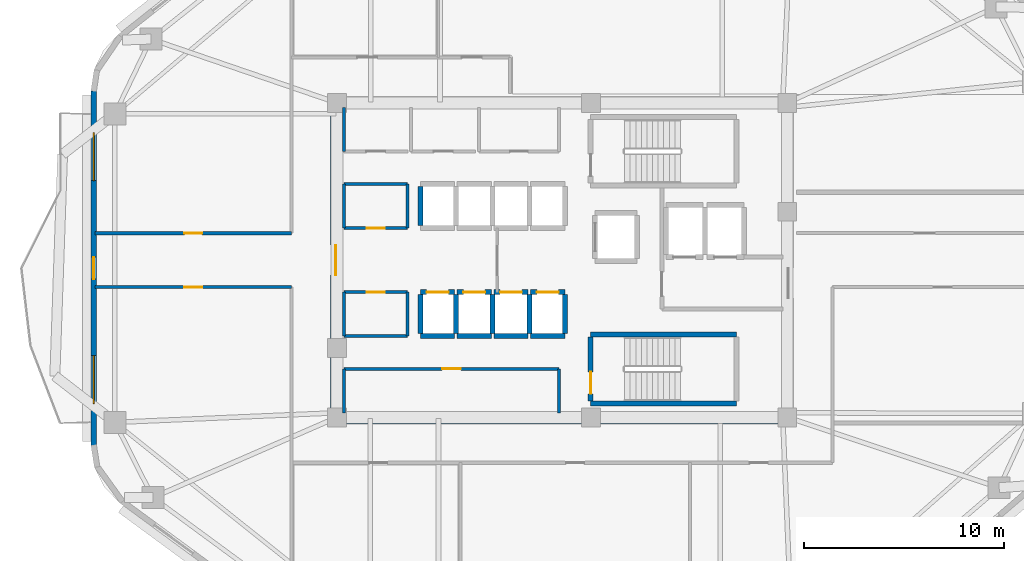
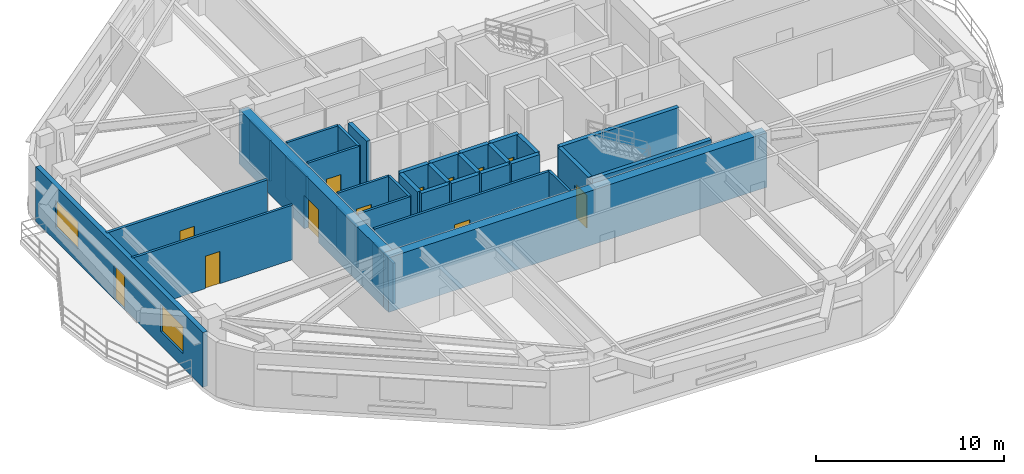
# One storey, part 3 of 8: 34 walls, 12 doors, 2 windows, 14 openings.
"""IFC4 building model written with IfcOpenShell, lengths in metres."""

from ifc_helpers import new_model, si_unit, direction, frame, frame_2d, origin, place, context, subcontext, project, spatial, rectangle, extrude, material, layer, layer_set, type_object, element, fill, save


model = new_model("IFC4")

# Units and contexts
model_context = context("Model", 3, precision=1e-05, world=origin(), true_north=direction((0.0, 1.0)))
body_context = subcontext(model_context, "Body", "Model", "MODEL_VIEW")
ifc_project = project(units=[si_unit("LENGTHUNIT", "METRE"), si_unit("AREAUNIT", "SQUARE_METRE"), si_unit("VOLUMEUNIT", "CUBIC_METRE"), si_unit("PLANEANGLEUNIT", "RADIAN"), si_unit("MASSUNIT", "GRAM", prefix="KILO")], contexts=[model_context])

# Site, building, storey
site_placement = place(None, origin())
site = spatial("IfcSite", under=ifc_project, at=site_placement, CompositionType="ELEMENT")
building_placement = place(site_placement, origin())
building = spatial("IfcBuilding", under=site, at=building_placement, Name="Zulverin Broadcast Headquarters", CompositionType="ELEMENT")
storey_placement = place(building_placement, frame((0.0, 0.0, 151.60009765625)))
storey = spatial("IfcBuildingStorey", under=building, at=storey_placement, Name="L38", CompositionType="ELEMENT", Elevation=151.60009765625)

# Wall
ifc_material_1 = material(Name="Concrete C60/75", Category="concrete")
ifc_layer_1 = layer(ifc_material_1, 0.550048828125, Name="Concrete C60/75", Category="concrete")
ifc_layer_set_1 = layer_set([ifc_layer_1], Name="Concrete C60/75")
wall_type_1 = type_object("IfcWallType", Name="WL-CORE-550", PredefinedType="SHEAR", material=ifc_layer_set_1)
wall_1_placement = place(storey_placement, frame((25.39990234375, 17.27490234375, 0.0), z_axis=(0.0, 0.0, 1.0), x_axis=(1.0, 0.0, 0.0)))
element("IfcWall", 1, at=wall_1_placement, inside=storey, type_object=wall_type_1, Name="L38 Core South Shear Wall", PredefinedType="SHEAR", context=body_context, shape_type="SweptSolid", body=[
    extrude(rectangle(XDim=23.2001953125, YDim=0.550048828125, at=frame_2d((11.60009765625, 0.0))), origin(), (0.0, 0.0, 1.0), 3.539794921875),
])

# Wall, opening, door
wall_2_placement = place(storey_placement, frame((25.675048828125, 17.550048828125, 0.0), z_axis=(0.0, 0.0, 1.0), x_axis=(0.0, 1.0, 0.0)))
wall_2 = element("IfcWall", 2, at=wall_2_placement, inside=storey, type_object=wall_type_1, Name="L38 Core West Shear Wall", PredefinedType="SHEAR", context=body_context, shape_type="SweptSolid", body=[
    extrude(rectangle(XDim=15.300048828125, YDim=0.550048828125, at=frame_2d((7.64990234375, 0.0))), origin(), (0.0, 0.0, 1.0), 3.539794921875),
])
opening_1_placement = place(wall_2_placement, frame((6.89990234375, 0.0, 0.0)))
opening_1 = element("IfcOpeningElement", 3, at=opening_1_placement, cuts=wall_2, Name="Opening D-L38-CW1", PredefinedType="OPENING", context=body_context, shape_type="SweptSolid", body=[
    extrude(rectangle(XDim=1.5, YDim=2.14990234375, at=frame_2d((0.75, 1.074951171875))), frame((0.0, 0.284912109375, 0.0), z_axis=(0.0, -1.0, 0.0), x_axis=(1.0, 0.0, 0.0)), (0.0, 0.0, 1.0), 0.570068359375),
])
ifc_material_2 = material(Name="Fire-rated glazed steel frame", Category="steel")
door_type_1 = type_object("IfcDoorType", Name="DR-COR-1500", OperationType="DOUBLE_DOOR_SINGLE_SWING", PredefinedType="DOOR", material=ifc_material_2)
door_1_placement = place(opening_1_placement, origin())
door_1 = element("IfcDoor", 4, at=door_1_placement, inside=storey, type_object=door_type_1, Name="L38 Central Lift Lobby West Portal Door", OperationType="DOUBLE_DOOR_SINGLE_SWING", OverallHeight=2.14990234375, OverallWidth=1.5, PredefinedType="DOOR", context=body_context, shape_type="SweptSolid", body=[
    extrude(rectangle(XDim=1.5, YDim=2.14990234375, at=frame_2d((0.75, 1.074951171875))), frame((0.0, 0.02490234375, 0.0), z_axis=(0.0, -1.0, 0.0), x_axis=(1.0, 0.0, 0.0)), (0.0, 0.0, 1.0), 0.050048828125),
])
fill(opening_1, door_1)

# Wall, openings, door, windows
ifc_material_3 = material(Name="Insulated pale-metal clad concrete spandrel C40/50", Category="concrete")
ifc_layer_2 = layer(ifc_material_3, 0.280029296875, Name="Insulated pale-metal clad concrete spandrel C40/50", Category="concrete")
ifc_layer_set_2 = layer_set([ifc_layer_2], Name="Insulated pale-metal clad concrete spandrel C40/50")
wall_type_2 = type_object("IfcWallType", Name="WL-EXT-280", PredefinedType="STANDARD", material=ifc_layer_set_2)
wall_3_placement = place(storey_placement, frame((13.5400390625, 33.673095703125, 0.0), z_axis=(0.0, 0.0, 1.0), x_axis=(0.0, -1.0, 0.0)))
wall_3 = element("IfcWall", 5, at=wall_3_placement, inside=storey, type_object=wall_type_2, Name="L38 Pale-Metal Clad Spandrel Wall 7", PredefinedType="STANDARD", context=body_context, shape_type="SweptSolid", body=[
    extrude(rectangle(XDim=17.751220703125, YDim=0.280029296875, at=frame_2d((8.87548828125, 0.0))), origin(), (0.0, 0.0, 1.0), 3.539794921875),
])
opening_2_placement = place(wall_3_placement, frame((8.32568359375, 0.0, 0.0)))
opening_2 = element("IfcOpeningElement", 6, at=opening_2_placement, cuts=wall_3, Name="Opening D-L38-TR7", PredefinedType="OPENING", context=body_context, shape_type="SweptSolid", body=[
    extrude(rectangle(XDim=1.10009765625, YDim=2.199951171875, at=frame_2d((0.550048828125, 1.10009765625))), frame((0.0, 0.14990234375, 0.0), z_axis=(0.0, -1.0, 0.0), x_axis=(1.0, 0.0, 0.0)), (0.0, 0.0, 1.0), 0.300048828125),
])
opening_3_placement = place(wall_3_placement, frame((2.091796875, 0.0, 0.89990234375)))
opening_3 = element("IfcOpeningElement", 7, at=opening_3_placement, cuts=wall_3, Name="Opening W-L38-E71", PredefinedType="OPENING", context=body_context, shape_type="SweptSolid", body=[
    extrude(rectangle(XDim=2.39990234375, YDim=1.75, at=frame_2d((1.199951171875, 0.875))), frame((0.0, 0.14990234375, 0.0), z_axis=(0.0, -1.0, 0.0), x_axis=(1.0, 0.0, 0.0)), (0.0, 0.0, 1.0), 0.300048828125),
])
opening_4_placement = place(wall_3_placement, frame((13.259521484375, 0.0, 0.89990234375)))
opening_4 = element("IfcOpeningElement", 8, at=opening_4_placement, cuts=wall_3, Name="Opening W-L38-E72", PredefinedType="OPENING", context=body_context, shape_type="SweptSolid", body=[
    extrude(rectangle(XDim=2.39990234375, YDim=1.75, at=frame_2d((1.199951171875, 0.875))), frame((0.0, 0.14990234375, 0.0), z_axis=(0.0, -1.0, 0.0), x_axis=(1.0, 0.0, 0.0)), (0.0, 0.0, 1.0), 0.300048828125),
])
ifc_material_4 = material(Name="Thermally broken aluminium glazed", Category="aluminium")
door_type_2 = type_object("IfcDoorType", Name="DR-TERR-1100", OperationType="SINGLE_SWING_RIGHT", PredefinedType="DOOR", material=ifc_material_4)
door_2_placement = place(opening_2_placement, origin())
door_2 = element("IfcDoor", 9, at=door_2_placement, inside=storey, type_object=door_type_2, Name="L38 Planted Terrace Glazed Access Door 7", OperationType="SINGLE_SWING_RIGHT", OverallHeight=2.199951171875, OverallWidth=1.10009765625, PredefinedType="DOOR", context=body_context, shape_type="SweptSolid", body=[
    extrude(rectangle(XDim=1.10009765625, YDim=2.199951171875, at=frame_2d((0.550048828125, 1.10009765625))), frame((0.0, 0.02490234375, 0.0), z_axis=(0.0, -1.0, 0.0), x_axis=(1.0, 0.0, 0.0)), (0.0, 0.0, 1.0), 0.050048828125),
])
fill(opening_2, door_2)
ifc_material_5 = material(Name="Pale anodized aluminium frame with solar-control low-E double glazing", Category="aluminium")
window_type = type_object("IfcWindowType", Name="WIN-RIB-2400", PartitioningType="SINGLE_PANEL", PredefinedType="WINDOW", material=ifc_material_5)
window_1_placement = place(opening_3_placement, origin())
window_1 = element("IfcWindow", 10, at=window_1_placement, inside=storey, type_object=window_type, Name="L38 Ribbon Glazing Window 7 1", OverallHeight=1.75, OverallWidth=2.39990234375, PartitioningType="SINGLE_PANEL", PredefinedType="WINDOW", context=body_context, shape_type="SweptSolid", body=[
    extrude(rectangle(XDim=2.39990234375, YDim=1.75, at=frame_2d((1.199951171875, 0.875))), frame((0.0, 0.030029296875, 0.0), z_axis=(0.0, -1.0, 0.0), x_axis=(1.0, 0.0, 0.0)), (0.0, 0.0, 1.0), 0.06005859375),
])
fill(opening_3, window_1)
window_2_placement = place(opening_4_placement, origin())
window_2 = element("IfcWindow", 11, at=window_2_placement, inside=storey, type_object=window_type, Name="L38 Ribbon Glazing Window 7 2", OverallHeight=1.75, OverallWidth=2.39990234375, PartitioningType="SINGLE_PANEL", PredefinedType="WINDOW", context=body_context, shape_type="SweptSolid", body=[
    extrude(rectangle(XDim=2.39990234375, YDim=1.75, at=frame_2d((1.199951171875, 0.875))), frame((0.0, 0.030029296875, 0.0), z_axis=(0.0, -1.0, 0.0), x_axis=(1.0, 0.0, 0.0)), (0.0, 0.0, 1.0), 0.06005859375),
])
fill(opening_4, window_2)

# Wall
ifc_material_6 = material(Name="Fire-rated gypsum stud partition", Category="gypsum")
ifc_layer_3 = layer(ifc_material_6, 0.14990234375, Name="Fire-rated gypsum stud partition", Category="gypsum")
ifc_layer_set_3 = layer_set([ifc_layer_3], Name="Fire-rated gypsum stud partition")
wall_type_3 = type_object("IfcWallType", Name="WL-PART-150", PredefinedType="PARTITIONING", material=ifc_layer_set_3)
wall_4_placement = place(storey_placement, frame((26.070068359375, 30.64990234375, 0.0), z_axis=(0.0, 0.0, 1.0), x_axis=(0.0, 1.0, 0.0)))
element("IfcWall", 12, at=wall_4_placement, inside=storey, type_object=wall_type_3, Name="L38 Core Accessible WC West Wall", PredefinedType="PARTITIONING", context=body_context, shape_type="SweptSolid", body=[
    extrude(rectangle(XDim=2.2001953125, YDim=0.14990234375, at=frame_2d((1.10009765625, 0.0))), origin(), (0.0, 0.0, 1.0), 2.639892578125),
])

# Wall, opening, door
wall_5_placement = place(storey_placement, frame((26.070068359375, 19.75, 0.0), z_axis=(0.0, 0.0, 1.0), x_axis=(1.0, 0.0, 0.0)))
wall_5 = element("IfcWall", 13, at=wall_5_placement, inside=storey, type_object=wall_type_3, Name="L38 Core Female WC & Facilities Room Front Wall", PredefinedType="PARTITIONING", context=body_context, shape_type="SweptSolid", body=[
    extrude(rectangle(XDim=10.780029296875, YDim=0.14990234375, at=frame_2d((5.39013671875, 0.0))), origin(), (0.0, 0.0, 1.0), 3.539794921875),
])
opening_5_placement = place(wall_5_placement, frame((4.9150390625, 0.0, 0.0)))
opening_5 = element("IfcOpeningElement", 14, at=opening_5_placement, cuts=wall_5, Name="Opening D-L38-SC1", PredefinedType="OPENING", context=body_context, shape_type="SweptSolid", body=[
    extrude(rectangle(XDim=0.949951171875, YDim=2.10009765625, at=frame_2d((0.47509765625, 1.050048828125))), frame((0.0, 0.0849609375, 0.0), z_axis=(0.0, -1.0, 0.0), x_axis=(1.0, 0.0, 0.0)), (0.0, 0.0, 1.0), 0.169921875),
])
ifc_material_7 = material(Name="Fire-rated moisture-resistant laminate leaf", Category="wood")
door_type_3 = type_object("IfcDoorType", Name="DR-WC-950", OperationType="SINGLE_SWING_LEFT", PredefinedType="DOOR", material=ifc_material_7)
door_3_placement = place(opening_5_placement, origin())
door_3 = element("IfcDoor", 15, at=door_3_placement, inside=storey, type_object=door_type_3, Name="L38 Female WC & Facilities Room Door", OperationType="SINGLE_SWING_RIGHT", OverallHeight=2.10009765625, OverallWidth=0.949951171875, PredefinedType="DOOR", context=body_context, shape_type="SweptSolid", body=[
    extrude(rectangle(XDim=0.949951171875, YDim=2.10009765625, at=frame_2d((0.47509765625, 1.050048828125))), frame((0.0, 0.02490234375, 0.0), z_axis=(0.0, -1.0, 0.0), x_axis=(1.0, 0.0, 0.0)), (0.0, 0.0, 1.0), 0.050048828125),
])
fill(opening_5, door_3)

# Walls
wall_6_placement = place(storey_placement, frame((26.070068359375, 17.550048828125, 0.0), z_axis=(0.0, 0.0, 1.0), x_axis=(0.0, 1.0, 0.0)))
element("IfcWall", 16, at=wall_6_placement, inside=storey, type_object=wall_type_3, Name="L38 Core Female WC & Facilities Room West Wall", PredefinedType="PARTITIONING", context=body_context, shape_type="SweptSolid", body=[
    extrude(rectangle(XDim=2.199951171875, YDim=0.14990234375, at=frame_2d((1.10009765625, 0.0))), origin(), (0.0, 0.0, 1.0), 2.639892578125),
])
wall_7_placement = place(storey_placement, frame((36.85009765625, 17.550048828125, 0.0), z_axis=(0.0, 0.0, 1.0), x_axis=(0.0, 1.0, 0.0)))
element("IfcWall", 17, at=wall_7_placement, inside=storey, type_object=wall_type_3, Name="L38 Core Female WC & Facilities Room East Wall", PredefinedType="PARTITIONING", context=body_context, shape_type="SweptSolid", body=[
    extrude(rectangle(XDim=2.199951171875, YDim=0.14990234375, at=frame_2d((1.10009765625, 0.0))), origin(), (0.0, 0.0, 1.0), 3.539794921875),
])

# Wall, opening, door
wall_8_placement = place(storey_placement, frame((26.070068359375, 26.800048828125, 0.0), z_axis=(0.0, 0.0, 1.0), x_axis=(1.0, 0.0, 0.0)))
wall_8 = element("IfcWall", 18, at=wall_8_placement, inside=storey, type_object=wall_type_3, Name="L38 Core UPS Battery Store S Wall", PredefinedType="PARTITIONING", context=body_context, shape_type="SweptSolid", body=[
    extrude(rectangle(XDim=3.179931640625, YDim=0.14990234375, at=frame_2d((1.58984375, 0.0))), origin(), (0.0, 0.0, 1.0), 3.539794921875),
])
opening_6_placement = place(wall_8_placement, frame((1.139892578125, 0.0, 0.0)))
opening_6 = element("IfcOpeningElement", 19, at=opening_6_placement, cuts=wall_8, Name="Opening D-L38-RCLN", PredefinedType="OPENING", context=body_context, shape_type="SweptSolid", body=[
    extrude(rectangle(XDim=0.89990234375, YDim=2.10009765625, at=frame_2d((0.449951171875, 1.050048828125))), frame((0.0, 0.0849609375, 0.0), z_axis=(0.0, -1.0, 0.0), x_axis=(1.0, 0.0, 0.0)), (0.0, 0.0, 1.0), 0.169921875),
])
ifc_material_8 = material(Name="Powder-coated steel access leaf", Category="steel")
door_type_4 = type_object("IfcDoorType", Name="DR-RISER-900", OperationType="SINGLE_SWING_LEFT", PredefinedType="DOOR", material=ifc_material_8)
door_4_placement = place(opening_6_placement, origin())
door_4 = element("IfcDoor", 20, at=door_4_placement, inside=storey, type_object=door_type_4, Name="L38 Core UPS Battery Store Door", OperationType="SINGLE_SWING_LEFT", OverallHeight=2.10009765625, OverallWidth=0.89990234375, PredefinedType="DOOR", context=body_context, shape_type="SweptSolid", body=[
    extrude(rectangle(XDim=0.89990234375, YDim=2.10009765625, at=frame_2d((0.449951171875, 1.050048828125))), frame((0.0, 0.02490234375, 0.0), z_axis=(0.0, -1.0, 0.0), x_axis=(1.0, 0.0, 0.0)), (0.0, 0.0, 1.0), 0.050048828125),
])
fill(opening_6, door_4)

# Walls
wall_9_placement = place(storey_placement, frame((26.070068359375, 29.0, 0.0), z_axis=(0.0, 0.0, 1.0), x_axis=(1.0, 0.0, 0.0)))
element("IfcWall", 21, at=wall_9_placement, inside=storey, type_object=wall_type_3, Name="L38 Core UPS Battery Store N Wall", PredefinedType="PARTITIONING", context=body_context, shape_type="SweptSolid", body=[
    extrude(rectangle(XDim=3.179931640625, YDim=0.14990234375, at=frame_2d((1.58984375, 0.0))), origin(), (0.0, 0.0, 1.0), 3.539794921875),
])
wall_10_placement = place(storey_placement, frame((26.070068359375, 26.800048828125, 0.0), z_axis=(0.0, 0.0, 1.0), x_axis=(0.0, 1.0, 0.0)))
element("IfcWall", 22, at=wall_10_placement, inside=storey, type_object=wall_type_3, Name="L38 Core UPS Battery Store W Wall", PredefinedType="PARTITIONING", context=body_context, shape_type="SweptSolid", body=[
    extrude(rectangle(XDim=2.199951171875, YDim=0.14990234375, at=frame_2d((1.10009765625, 0.0))), origin(), (0.0, 0.0, 1.0), 2.639892578125),
])
wall_11_placement = place(storey_placement, frame((29.25, 26.800048828125, 0.0), z_axis=(0.0, 0.0, 1.0), x_axis=(0.0, 1.0, 0.0)))
element("IfcWall", 23, at=wall_11_placement, inside=storey, type_object=wall_type_3, Name="L38 Core UPS Battery Store E Wall", PredefinedType="PARTITIONING", context=body_context, shape_type="SweptSolid", body=[
    extrude(rectangle(XDim=2.199951171875, YDim=0.14990234375, at=frame_2d((1.10009765625, 0.0))), origin(), (0.0, 0.0, 1.0), 3.539794921875),
])
wall_12_placement = place(storey_placement, frame((26.070068359375, 21.39990234375, 0.0), z_axis=(0.0, 0.0, 1.0), x_axis=(1.0, 0.0, 0.0)))
element("IfcWall", 24, at=wall_12_placement, inside=storey, type_object=wall_type_3, Name="L38 Media Ingestion Server Room S Wall", PredefinedType="PARTITIONING", context=body_context, shape_type="SweptSolid", body=[
    extrude(rectangle(XDim=3.179931640625, YDim=0.14990234375, at=frame_2d((1.58984375, 0.0))), origin(), (0.0, 0.0, 1.0), 3.539794921875),
])

# Wall, opening, door
wall_13_placement = place(storey_placement, frame((26.070068359375, 23.60009765625, 0.0), z_axis=(0.0, 0.0, 1.0), x_axis=(1.0, 0.0, 0.0)))
wall_13 = element("IfcWall", 25, at=wall_13_placement, inside=storey, type_object=wall_type_3, Name="L38 Media Ingestion Server Room N Wall", PredefinedType="PARTITIONING", context=body_context, shape_type="SweptSolid", body=[
    extrude(rectangle(XDim=3.179931640625, YDim=0.14990234375, at=frame_2d((1.58984375, 0.0))), origin(), (0.0, 0.0, 1.0), 3.539794921875),
])
opening_7_placement = place(wall_13_placement, frame((1.139892578125, 0.0, 0.0)))
opening_7 = element("IfcOpeningElement", 26, at=opening_7_placement, cuts=wall_13, Name="Opening D-L38-RCLS", PredefinedType="OPENING", context=body_context, shape_type="SweptSolid", body=[
    extrude(rectangle(XDim=0.89990234375, YDim=2.10009765625, at=frame_2d((0.449951171875, 1.050048828125))), frame((0.0, 0.0849609375, 0.0), z_axis=(0.0, -1.0, 0.0), x_axis=(1.0, 0.0, 0.0)), (0.0, 0.0, 1.0), 0.169921875),
])
door_5_placement = place(opening_7_placement, origin())
door_5 = element("IfcDoor", 27, at=door_5_placement, inside=storey, type_object=door_type_4, Name="L38 Media Ingestion Server Room Door", OperationType="SINGLE_SWING_RIGHT", OverallHeight=2.10009765625, OverallWidth=0.89990234375, PredefinedType="DOOR", context=body_context, shape_type="SweptSolid", body=[
    extrude(rectangle(XDim=0.89990234375, YDim=2.10009765625, at=frame_2d((0.449951171875, 1.050048828125))), frame((0.0, 0.02490234375, 0.0), z_axis=(0.0, -1.0, 0.0), x_axis=(1.0, 0.0, 0.0)), (0.0, 0.0, 1.0), 0.050048828125),
])
fill(opening_7, door_5)

# Walls
wall_14_placement = place(storey_placement, frame((26.070068359375, 21.39990234375, 0.0), z_axis=(0.0, 0.0, 1.0), x_axis=(0.0, 1.0, 0.0)))
element("IfcWall", 28, at=wall_14_placement, inside=storey, type_object=wall_type_3, Name="L38 Media Ingestion Server Room W Wall", PredefinedType="PARTITIONING", context=body_context, shape_type="SweptSolid", body=[
    extrude(rectangle(XDim=2.2001953125, YDim=0.14990234375, at=frame_2d((1.10009765625, 0.0))), origin(), (0.0, 0.0, 1.0), 2.639892578125),
])
wall_15_placement = place(storey_placement, frame((29.25, 21.39990234375, 0.0), z_axis=(0.0, 0.0, 1.0), x_axis=(0.0, 1.0, 0.0)))
element("IfcWall", 29, at=wall_15_placement, inside=storey, type_object=wall_type_3, Name="L38 Media Ingestion Server Room E Wall", PredefinedType="PARTITIONING", context=body_context, shape_type="SweptSolid", body=[
    extrude(rectangle(XDim=2.2001953125, YDim=0.14990234375, at=frame_2d((1.10009765625, 0.0))), origin(), (0.0, 0.0, 1.0), 3.539794921875),
])

# Wall, opening, door
wall_16_placement = place(storey_placement, frame((13.60498046875, 23.85009765625, 0.0), z_axis=(0.0, 0.0, 1.0), x_axis=(1.0, 0.0, 0.0)))
wall_16 = element("IfcWall", 30, at=wall_16_placement, inside=storey, type_object=wall_type_3, Name="L38 Gallery Partition Wall CG-10", PredefinedType="PARTITIONING", context=body_context, shape_type="SweptSolid", body=[
    extrude(rectangle(XDim=9.844970703125, YDim=0.14990234375, at=frame_2d((4.92236328125, 0.0))), origin(), (0.0, 0.0, 1.0), 3.539794921875),
])
opening_8_placement = place(wall_16_placement, frame((4.472412109375, 0.0, 0.0)))
opening_8 = element("IfcOpeningElement", 31, at=opening_8_placement, cuts=wall_16, Name="Opening D-L38-06", PredefinedType="OPENING", context=body_context, shape_type="SweptSolid", body=[
    extrude(rectangle(XDim=0.89990234375, YDim=2.10009765625, at=frame_2d((0.449951171875, 1.050048828125))), frame((0.0, 0.0849609375, 0.0), z_axis=(0.0, -1.0, 0.0), x_axis=(1.0, 0.0, 0.0)), (0.0, 0.0, 1.0), 0.169921875),
])
ifc_material_9 = material(Name="Fire-rated hardwood veneer timber leaf", Category="wood")
door_type_5 = type_object("IfcDoorType", Name="DR-ROOM-900", OperationType="SINGLE_SWING_RIGHT", PredefinedType="DOOR", material=ifc_material_9)
door_6_placement = place(opening_8_placement, origin())
door_6 = element("IfcDoor", 32, at=door_6_placement, inside=storey, type_object=door_type_5, Name="L38 Coffee Bar Door", OperationType="SINGLE_SWING_LEFT", OverallHeight=2.10009765625, OverallWidth=0.89990234375, PredefinedType="DOOR", context=body_context, shape_type="SweptSolid", body=[
    extrude(rectangle(XDim=0.89990234375, YDim=2.10009765625, at=frame_2d((0.449951171875, 1.050048828125))), frame((0.0, 0.02490234375, 0.0), z_axis=(0.0, -1.0, 0.0), x_axis=(1.0, 0.0, 0.0)), (0.0, 0.0, 1.0), 0.050048828125),
])
fill(opening_8, door_6)

ifc_material_10 = material(Name="Fire-rated acoustic stud wall", Category="gypsum")
ifc_layer_4 = layer(ifc_material_10, 0.175048828125, Name="Fire-rated acoustic stud wall", Category="gypsum")
ifc_layer_set_4 = layer_set([ifc_layer_4], Name="Fire-rated acoustic stud wall")
wall_type_4 = type_object("IfcWallType", Name="WL-PART-175", PredefinedType="PARTITIONING", material=ifc_layer_set_4)
wall_17_placement = place(storey_placement, frame((13.60498046875, 26.550048828125, 0.0), z_axis=(0.0, 0.0, 1.0), x_axis=(1.0, 0.0, 0.0)))
wall_17 = element("IfcWall", 33, at=wall_17_placement, inside=storey, type_object=wall_type_4, Name="L38 Gallery Partition Wall CG-12", PredefinedType="PARTITIONING", context=body_context, shape_type="SweptSolid", body=[
    extrude(rectangle(XDim=9.844970703125, YDim=0.175048828125, at=frame_2d((4.92236328125, 0.0))), origin(), (0.0, 0.0, 1.0), 3.539794921875),
])
opening_9_placement = place(wall_17_placement, frame((4.472412109375, 0.0, 0.0)))
opening_9 = element("IfcOpeningElement", 34, at=opening_9_placement, cuts=wall_17, Name="Opening D-L38-07", PredefinedType="OPENING", context=body_context, shape_type="SweptSolid", body=[
    extrude(rectangle(XDim=0.89990234375, YDim=2.10009765625, at=frame_2d((0.449951171875, 1.050048828125))), frame((0.0, 0.097412109375, 0.0), z_axis=(0.0, -1.0, 0.0), x_axis=(1.0, 0.0, 0.0)), (0.0, 0.0, 1.0), 0.195068359375),
])
door_7_placement = place(opening_9_placement, origin())
door_7 = element("IfcDoor", 35, at=door_7_placement, inside=storey, type_object=door_type_5, Name="L38 Main Catering Servery Door", OperationType="SINGLE_SWING_RIGHT", OverallHeight=2.10009765625, OverallWidth=0.89990234375, PredefinedType="DOOR", context=body_context, shape_type="SweptSolid", body=[
    extrude(rectangle(XDim=0.89990234375, YDim=2.10009765625, at=frame_2d((0.449951171875, 1.050048828125))), frame((0.0, 0.02490234375, 0.0), z_axis=(0.0, -1.0, 0.0), x_axis=(1.0, 0.0, 0.0)), (0.0, 0.0, 1.0), 0.050048828125),
])
fill(opening_9, door_7)

# Walls
ifc_material_11 = material(Name="Concrete C50/60", Category="concrete")
ifc_layer_5 = layer(ifc_material_11, 0.25, Name="Concrete C50/60", Category="concrete")
ifc_layer_set_5 = layer_set([ifc_layer_5], Name="Concrete C50/60")
wall_type_5 = type_object("IfcWallType", Name="WL-SHAFT-250", PredefinedType="SHEAR", material=ifc_layer_set_5)
for number, where, z_axis, x_axis, name in (
    (36, (38.425048828125, 18.02490234375, 0.0), (0.0, 0.0, 1.0), (1.0, 0.0, 0.0), "L38 ST-2 Enclosure Wall S"),
    (37, (38.425048828125, 21.47509765625, 0.0), (0.0, 0.0, 1.0), (1.0, 0.0, 0.0), "L38 ST-2 Enclosure Wall N"),
):
    element("IfcWall", number, at=place(storey_placement, frame(where, z_axis=z_axis, x_axis=x_axis)), inside=storey, type_object=wall_type_5, Name=name, PredefinedType="SHEAR", context=body_context, shape_type="SweptSolid", body=[
        extrude(rectangle(XDim=7.300048828125, YDim=0.25, at=frame_2d((3.64990234375, 0.0))), origin(), (0.0, 0.0, 1.0), 3.539794921875),
    ])

# Wall, opening, door
wall_18_placement = place(storey_placement, frame((38.425048828125, 18.14990234375, 0.0), z_axis=(0.0, 0.0, 1.0), x_axis=(0.0, 1.0, 0.0)))
wall_18 = element("IfcWall", 38, at=wall_18_placement, inside=storey, type_object=wall_type_5, Name="L38 ST-2 Enclosure Wall W", PredefinedType="SHEAR", context=body_context, shape_type="SweptSolid", body=[
    extrude(rectangle(XDim=3.2001953125, YDim=0.25, at=frame_2d((1.60009765625, 0.0))), origin(), (0.0, 0.0, 1.0), 3.539794921875),
])
opening_10_placement = place(wall_18_placement, frame((0.35009765625, 0.0, 0.0)))
opening_10 = element("IfcOpeningElement", 39, at=opening_10_placement, cuts=wall_18, Name="Opening D-L38-ST-2", PredefinedType="OPENING", context=body_context, shape_type="SweptSolid", body=[
    extrude(rectangle(XDim=1.10009765625, YDim=2.14990234375, at=frame_2d((0.550048828125, 1.074951171875))), frame((0.0, 0.135009765625, 0.0), z_axis=(0.0, -1.0, 0.0), x_axis=(1.0, 0.0, 0.0)), (0.0, 0.0, 1.0), 0.27001953125),
])
ifc_material_12 = material(Name="Fire-rated steel leaf and frame", Category="steel")
door_type_6 = type_object("IfcDoorType", Name="DR-STAIR-1100", OperationType="SINGLE_SWING_LEFT", PredefinedType="DOOR", material=ifc_material_12)
door_8_placement = place(opening_10_placement, origin())
door_8 = element("IfcDoor", 40, at=door_8_placement, inside=storey, type_object=door_type_6, Name="L38 Exit Stair ST-2 Fire Door", OperationType="SINGLE_SWING_RIGHT", OverallHeight=2.14990234375, OverallWidth=1.10009765625, PredefinedType="DOOR", context=body_context, shape_type="SweptSolid", body=[
    extrude(rectangle(XDim=1.10009765625, YDim=2.14990234375, at=frame_2d((0.550048828125, 1.074951171875))), frame((0.0, 0.02490234375, 0.0), z_axis=(0.0, -1.0, 0.0), x_axis=(1.0, 0.0, 0.0)), (0.0, 0.0, 1.0), 0.050048828125),
])
fill(opening_10, door_8)

# Wall
wall_19_placement = place(storey_placement, frame((29.89990234375, 21.39990234375, 0.0), z_axis=(0.0, 0.0, 1.0), x_axis=(1.0, 0.0, 0.0)))
element("IfcWall", 41, at=wall_19_placement, inside=storey, type_object=wall_type_5, Name="L38 Lift PL-M1 Shaft Wall S", PredefinedType="SHEAR", context=body_context, shape_type="SweptSolid", body=[
    extrude(rectangle(XDim=1.72021484375, YDim=0.25, at=frame_2d((0.860107421875, 0.0))), origin(), (0.0, 0.0, 1.0), 3.539794921875),
])

# Wall, opening, door
wall_20_placement = place(storey_placement, frame((29.89990234375, 23.60009765625, 0.0), z_axis=(0.0, 0.0, 1.0), x_axis=(1.0, 0.0, 0.0)))
wall_20 = element("IfcWall", 42, at=wall_20_placement, inside=storey, type_object=wall_type_5, Name="L38 Lift PL-M1 Shaft Wall N", PredefinedType="SHEAR", context=body_context, shape_type="SweptSolid", body=[
    extrude(rectangle(XDim=1.72021484375, YDim=0.25, at=frame_2d((0.860107421875, 0.0))), origin(), (0.0, 0.0, 1.0), 3.539794921875),
])
opening_11_placement = place(wall_20_placement, frame((0.31005859375, 0.0, 0.0)))
opening_11 = element("IfcOpeningElement", 43, at=opening_11_placement, cuts=wall_20, Name="Opening LD-PL-M1-L38", PredefinedType="OPENING", context=body_context, shape_type="SweptSolid", body=[
    extrude(rectangle(XDim=1.10009765625, YDim=2.14990234375, at=frame_2d((0.550048828125, 1.074951171875))), frame((0.0, 0.135009765625, 0.0), z_axis=(0.0, -1.0, 0.0), x_axis=(1.0, 0.0, 0.0)), (0.0, 0.0, 1.0), 0.27001953125),
])
ifc_material_13 = material(Name="Brushed stainless steel landing", Category="steel")
door_type_7 = type_object("IfcDoorType", Name="LD-PASS-1100", OperationType="DOUBLE_DOOR_SLIDING", PredefinedType="DOOR", material=ifc_material_13)
door_9_placement = place(opening_11_placement, origin())
door_9 = element("IfcDoor", 44, at=door_9_placement, inside=storey, type_object=door_type_7, Name="L38 Lift PL-M1 Sliding Landing Door", OperationType="DOUBLE_DOOR_SLIDING", OverallHeight=2.14990234375, OverallWidth=1.10009765625, PredefinedType="DOOR", context=body_context, shape_type="SweptSolid", body=[
    extrude(rectangle(XDim=1.10009765625, YDim=2.14990234375, at=frame_2d((0.550048828125, 1.074951171875))), frame((0.0, 0.02490234375, 0.0), z_axis=(0.0, -1.0, 0.0), x_axis=(1.0, 0.0, 0.0)), (0.0, 0.0, 1.0), 0.050048828125),
])
fill(opening_11, door_9)

# Walls
for number, where, z_axis, x_axis, name in (
    (45, (29.89990234375, 21.52001953125, 0.0), (0.0, 0.0, 1.0), (0.0, 1.0, 0.0), "L38 Lift PL-M1 Shaft Wall W"),
    (46, (31.679931640625, 21.52001953125, 0.0), (0.0, 0.0, 1.0), (0.0, 1.0, 0.0), "L38 Lift PL-M1 Shaft Wall E"),
):
    element("IfcWall", number, at=place(storey_placement, frame(where, z_axis=z_axis, x_axis=x_axis)), inside=storey, type_object=wall_type_5, Name=name, PredefinedType="SHEAR", context=body_context, shape_type="SweptSolid", body=[
        extrude(rectangle(XDim=1.9599609375, YDim=0.25, at=frame_2d((0.97998046875, 0.0))), origin(), (0.0, 0.0, 1.0), 3.539794921875),
    ])
wall_21_placement = place(storey_placement, frame((31.739990234375, 21.39990234375, 0.0), z_axis=(0.0, 0.0, 1.0), x_axis=(1.0, 0.0, 0.0)))
element("IfcWall", 47, at=wall_21_placement, inside=storey, type_object=wall_type_5, Name="L38 Lift PL-M2 Shaft Wall S", PredefinedType="SHEAR", context=body_context, shape_type="SweptSolid", body=[
    extrude(rectangle(XDim=1.719970703125, YDim=0.25, at=frame_2d((0.85986328125, 0.0))), origin(), (0.0, 0.0, 1.0), 3.539794921875),
])

# Wall, opening, door
wall_22_placement = place(storey_placement, frame((31.739990234375, 23.60009765625, 0.0), z_axis=(0.0, 0.0, 1.0), x_axis=(1.0, 0.0, 0.0)))
wall_22 = element("IfcWall", 48, at=wall_22_placement, inside=storey, type_object=wall_type_5, Name="L38 Lift PL-M2 Shaft Wall N", PredefinedType="SHEAR", context=body_context, shape_type="SweptSolid", body=[
    extrude(rectangle(XDim=1.719970703125, YDim=0.25, at=frame_2d((0.85986328125, 0.0))), origin(), (0.0, 0.0, 1.0), 3.539794921875),
])
opening_12_placement = place(wall_22_placement, frame((0.31005859375, 0.0, 0.0)))
opening_12 = element("IfcOpeningElement", 49, at=opening_12_placement, cuts=wall_22, Name="Opening LD-PL-M2-L38", PredefinedType="OPENING", context=body_context, shape_type="SweptSolid", body=[
    extrude(rectangle(XDim=1.10009765625, YDim=2.14990234375, at=frame_2d((0.550048828125, 1.074951171875))), frame((0.0, 0.135009765625, 0.0), z_axis=(0.0, -1.0, 0.0), x_axis=(1.0, 0.0, 0.0)), (0.0, 0.0, 1.0), 0.27001953125),
])
door_10_placement = place(opening_12_placement, origin())
door_10 = element("IfcDoor", 50, at=door_10_placement, inside=storey, type_object=door_type_7, Name="L38 Lift PL-M2 Sliding Landing Door", OperationType="DOUBLE_DOOR_SLIDING", OverallHeight=2.14990234375, OverallWidth=1.10009765625, PredefinedType="DOOR", context=body_context, shape_type="SweptSolid", body=[
    extrude(rectangle(XDim=1.10009765625, YDim=2.14990234375, at=frame_2d((0.550048828125, 1.074951171875))), frame((0.0, 0.02490234375, 0.0), z_axis=(0.0, -1.0, 0.0), x_axis=(1.0, 0.0, 0.0)), (0.0, 0.0, 1.0), 0.050048828125),
])
fill(opening_12, door_10)

# Walls
wall_23_placement = place(storey_placement, frame((33.52001953125, 21.52001953125, 0.0), z_axis=(0.0, 0.0, 1.0), x_axis=(0.0, 1.0, 0.0)))
element("IfcWall", 51, at=wall_23_placement, inside=storey, type_object=wall_type_5, Name="L38 Lift PL-M2 Shaft Wall E", PredefinedType="SHEAR", context=body_context, shape_type="SweptSolid", body=[
    extrude(rectangle(XDim=1.9599609375, YDim=0.25, at=frame_2d((0.97998046875, 0.0))), origin(), (0.0, 0.0, 1.0), 3.539794921875),
])
wall_24_placement = place(storey_placement, frame((33.580078125, 21.39990234375, 0.0), z_axis=(0.0, 0.0, 1.0), x_axis=(1.0, 0.0, 0.0)))
element("IfcWall", 52, at=wall_24_placement, inside=storey, type_object=wall_type_5, Name="L38 Lift PL-M3 Shaft Wall S", PredefinedType="SHEAR", context=body_context, shape_type="SweptSolid", body=[
    extrude(rectangle(XDim=1.719970703125, YDim=0.25, at=frame_2d((0.85986328125, 0.0))), origin(), (0.0, 0.0, 1.0), 3.539794921875),
])

# Wall, opening, door
wall_25_placement = place(storey_placement, frame((33.580078125, 23.60009765625, 0.0), z_axis=(0.0, 0.0, 1.0), x_axis=(1.0, 0.0, 0.0)))
wall_25 = element("IfcWall", 53, at=wall_25_placement, inside=storey, type_object=wall_type_5, Name="L38 Lift PL-M3 Shaft Wall N", PredefinedType="SHEAR", context=body_context, shape_type="SweptSolid", body=[
    extrude(rectangle(XDim=1.719970703125, YDim=0.25, at=frame_2d((0.85986328125, 0.0))), origin(), (0.0, 0.0, 1.0), 3.539794921875),
])
opening_13_placement = place(wall_25_placement, frame((0.31005859375, 0.0, 0.0)))
opening_13 = element("IfcOpeningElement", 54, at=opening_13_placement, cuts=wall_25, Name="Opening LD-PL-M3-L38", PredefinedType="OPENING", context=body_context, shape_type="SweptSolid", body=[
    extrude(rectangle(XDim=1.10009765625, YDim=2.14990234375, at=frame_2d((0.550048828125, 1.074951171875))), frame((0.0, 0.135009765625, 0.0), z_axis=(0.0, -1.0, 0.0), x_axis=(1.0, 0.0, 0.0)), (0.0, 0.0, 1.0), 0.27001953125),
])
door_11_placement = place(opening_13_placement, origin())
door_11 = element("IfcDoor", 55, at=door_11_placement, inside=storey, type_object=door_type_7, Name="L38 Lift PL-M3 Sliding Landing Door", OperationType="DOUBLE_DOOR_SLIDING", OverallHeight=2.14990234375, OverallWidth=1.10009765625, PredefinedType="DOOR", context=body_context, shape_type="SweptSolid", body=[
    extrude(rectangle(XDim=1.10009765625, YDim=2.14990234375, at=frame_2d((0.550048828125, 1.074951171875))), frame((0.0, 0.02490234375, 0.0), z_axis=(0.0, -1.0, 0.0), x_axis=(1.0, 0.0, 0.0)), (0.0, 0.0, 1.0), 0.050048828125),
])
fill(opening_13, door_11)

# Walls
wall_26_placement = place(storey_placement, frame((35.360107421875, 21.52001953125, 0.0), z_axis=(0.0, 0.0, 1.0), x_axis=(0.0, 1.0, 0.0)))
element("IfcWall", 56, at=wall_26_placement, inside=storey, type_object=wall_type_5, Name="L38 Lift PL-M3 Shaft Wall E", PredefinedType="SHEAR", context=body_context, shape_type="SweptSolid", body=[
    extrude(rectangle(XDim=1.9599609375, YDim=0.25, at=frame_2d((0.97998046875, 0.0))), origin(), (0.0, 0.0, 1.0), 3.539794921875),
])
wall_27_placement = place(storey_placement, frame((35.419921875, 21.39990234375, 0.0), z_axis=(0.0, 0.0, 1.0), x_axis=(1.0, 0.0, 0.0)))
element("IfcWall", 57, at=wall_27_placement, inside=storey, type_object=wall_type_5, Name="L38 Lift PL-M4 Shaft Wall S", PredefinedType="SHEAR", context=body_context, shape_type="SweptSolid", body=[
    extrude(rectangle(XDim=1.719970703125, YDim=0.25, at=frame_2d((0.85986328125, 0.0))), origin(), (0.0, 0.0, 1.0), 3.539794921875),
])

# Wall, opening, door
wall_28_placement = place(storey_placement, frame((35.419921875, 23.60009765625, 0.0), z_axis=(0.0, 0.0, 1.0), x_axis=(1.0, 0.0, 0.0)))
wall_28 = element("IfcWall", 58, at=wall_28_placement, inside=storey, type_object=wall_type_5, Name="L38 Lift PL-M4 Shaft Wall N", PredefinedType="SHEAR", context=body_context, shape_type="SweptSolid", body=[
    extrude(rectangle(XDim=1.719970703125, YDim=0.25, at=frame_2d((0.85986328125, 0.0))), origin(), (0.0, 0.0, 1.0), 3.539794921875),
])
opening_14_placement = place(wall_28_placement, frame((0.31005859375, 0.0, 0.0)))
opening_14 = element("IfcOpeningElement", 59, at=opening_14_placement, cuts=wall_28, Name="Opening LD-PL-M4-L38", PredefinedType="OPENING", context=body_context, shape_type="SweptSolid", body=[
    extrude(rectangle(XDim=1.10009765625, YDim=2.14990234375, at=frame_2d((0.550048828125, 1.074951171875))), frame((0.0, 0.135009765625, 0.0), z_axis=(0.0, -1.0, 0.0), x_axis=(1.0, 0.0, 0.0)), (0.0, 0.0, 1.0), 0.27001953125),
])
door_12_placement = place(opening_14_placement, origin())
door_12 = element("IfcDoor", 60, at=door_12_placement, inside=storey, type_object=door_type_7, Name="L38 Lift PL-M4 Sliding Landing Door", OperationType="DOUBLE_DOOR_SLIDING", OverallHeight=2.14990234375, OverallWidth=1.10009765625, PredefinedType="DOOR", context=body_context, shape_type="SweptSolid", body=[
    extrude(rectangle(XDim=1.10009765625, YDim=2.14990234375, at=frame_2d((0.550048828125, 1.074951171875))), frame((0.0, 0.02490234375, 0.0), z_axis=(0.0, -1.0, 0.0), x_axis=(1.0, 0.0, 0.0)), (0.0, 0.0, 1.0), 0.050048828125),
])
fill(opening_14, door_12)

# Walls
for number, where, z_axis, x_axis, name in (
    (61, (37.139892578125, 21.52001953125, 0.0), (0.0, 0.0, 1.0), (0.0, 1.0, 0.0), "L38 Lift PL-M4 Shaft Wall E"),
    (62, (29.89990234375, 26.919921875, 0.0), (0.0, 0.0, 1.0), (0.0, 1.0, 0.0), "L38 Lift PL-H1 Shaft Wall W"),
):
    element("IfcWall", number, at=place(storey_placement, frame(where, z_axis=z_axis, x_axis=x_axis)), inside=storey, type_object=wall_type_5, Name=name, PredefinedType="SHEAR", context=body_context, shape_type="SweptSolid", body=[
        extrude(rectangle(XDim=1.9599609375, YDim=0.25, at=frame_2d((0.97998046875, 0.0))), origin(), (0.0, 0.0, 1.0), 3.539794921875),
    ])

save(model, "model.ifc")
